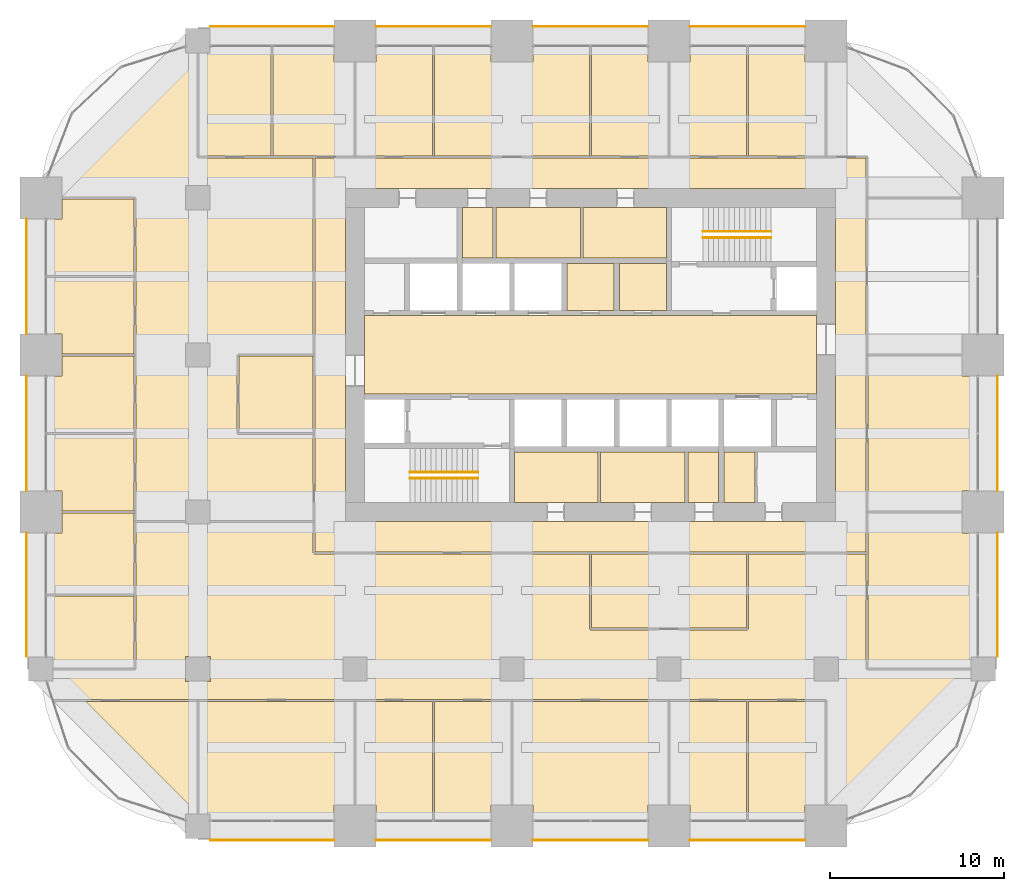
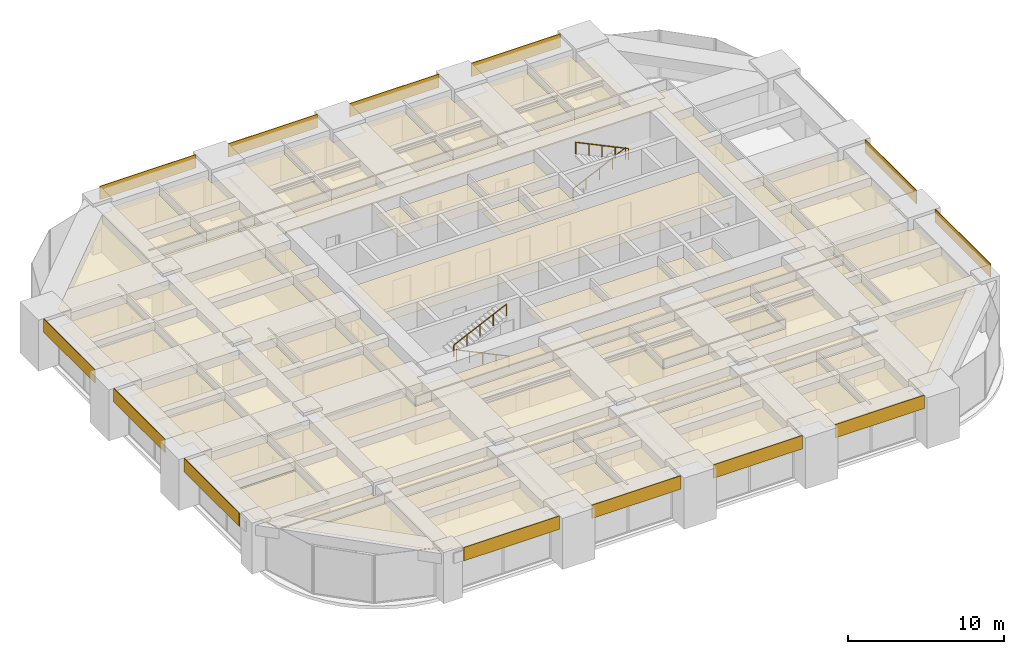
# One storey, part 34 of 35: 50 coverings, 4 railings.
"""IFC4 building model written with IfcOpenShell, lengths in metres."""

from ifc_helpers import new_model, si_unit, direction, frame, frame_2d, origin, origin_2d, place, context, subcontext, project, spatial, polyline, rectangle, circle, outline, extrude, material, layer, layer_set, type_object, element, save


model = new_model("IFC4")

# Units and contexts
model_context = context("Model", 3, precision=1e-05, world=origin(), true_north=direction((0.0, 1.0)))
body_context = subcontext(model_context, "Body", "Model", "MODEL_VIEW")
ifc_project = project(units=[si_unit("LENGTHUNIT", "METRE"), si_unit("AREAUNIT", "SQUARE_METRE"), si_unit("VOLUMEUNIT", "CUBIC_METRE"), si_unit("PLANEANGLEUNIT", "RADIAN"), si_unit("MASSUNIT", "GRAM", prefix="KILO")], contexts=[model_context])

# Site, building, storey
site_placement = place(None, origin())
site = spatial("IfcSite", under=ifc_project, at=site_placement, CompositionType="ELEMENT")
building_placement = place(site_placement, origin())
building = spatial("IfcBuilding", under=site, at=building_placement, Name="Zorevar Civic Tower", CompositionType="ELEMENT")
storey_placement = place(building_placement, frame((0.0, 0.0, 222.199951171875)))
storey = spatial("IfcBuildingStorey", under=building, at=storey_placement, Name="L54", CompositionType="ELEMENT", Elevation=222.199951171875)

# Railings
ifc_material_1 = material(Name="Black steel handrail", Category="steel")
railing_type = type_object("IfcRailingType", Name="Handrail HR1 900", PredefinedType="HANDRAIL", material=ifc_material_1)
railing_1_placement = place(storey_placement, frame((25.050048828125, 19.925048828125, 0.142822265625)))
element("IfcRailing", 1, at=railing_1_placement, inside=storey, type_object=railing_type, Name="Handrail HR1 ST1 L54", PredefinedType="HANDRAIL", context=body_context, shape_type="SweptSolid", body=[
    extrude(circle(Radius=0.02392578125, at=origin_2d()), frame((0.0, 0.0, 0.8759765625), z_axis=(-0.902863652845, 0.0, 0.429926998885), x_axis=(0.0, -1.0, 0.0)), (0.0, 0.0, 1.0), 4.31982421875),
    extrude(circle(Radius=0.02099609375, at=origin_2d()), origin(), (0.0, 0.0, 1.0), 0.851806640625),
    extrude(circle(Radius=0.02099609375, at=origin_2d()), frame((-0.97509765625, 0.0, 0.46435546875)), (0.0, 0.0, 1.0), 0.851806640625),
    extrude(circle(Radius=0.02099609375, at=origin_2d()), frame((-1.9501953125, 0.0, 0.9287109375)), (0.0, 0.0, 1.0), 0.851806640625),
    extrude(circle(Radius=0.02099609375, at=origin_2d()), frame((-2.925048828125, 0.0, 1.392822265625)), (0.0, 0.0, 1.0), 0.851806640625),
    extrude(circle(Radius=0.02099609375, at=origin_2d()), frame((-3.900146484375, 0.0, 1.857177734375)), (0.0, 0.0, 1.0), 0.851806640625),
])
for number, where, name in (
    (2, (21.14990234375, 20.27490234375, 2.142822265625), "Handrail HR1 ST1 L54"),
    (3, (37.949951171875, 34.074951171875, 0.142822265625), "Handrail HR1 ST2 L54"),
):
    element("IfcRailing", number, at=place(storey_placement, frame(where)), inside=storey, type_object=railing_type, Name=name, PredefinedType="HANDRAIL", context=body_context, shape_type="SweptSolid", body=[
        extrude(circle(Radius=0.02392578125, at=origin_2d()), frame((0.0, 0.0, 0.8759765625), z_axis=(0.902863652845, 0.0, 0.429926998885), x_axis=(0.0, 1.0, 0.0)), (0.0, 0.0, 1.0), 4.31982421875),
        extrude(circle(Radius=0.02099609375, at=origin_2d()), origin(), (0.0, 0.0, 1.0), 0.851806640625),
        extrude(circle(Radius=0.02099609375, at=origin_2d()), frame((0.97509765625, 0.0, 0.46435546875)), (0.0, 0.0, 1.0), 0.851806640625),
        extrude(circle(Radius=0.02099609375, at=origin_2d()), frame((1.9501953125, 0.0, 0.9287109375)), (0.0, 0.0, 1.0), 0.851806640625),
        extrude(circle(Radius=0.02099609375, at=origin_2d()), frame((2.925048828125, 0.0, 1.392822265625)), (0.0, 0.0, 1.0), 0.851806640625),
        extrude(circle(Radius=0.02099609375, at=origin_2d()), frame((3.900146484375, 0.0, 1.857177734375)), (0.0, 0.0, 1.0), 0.851806640625),
    ])
railing_2_placement = place(storey_placement, frame((41.85009765625, 33.72509765625, 2.142822265625)))
element("IfcRailing", 4, at=railing_2_placement, inside=storey, type_object=railing_type, Name="Handrail HR1 ST2 L54", PredefinedType="HANDRAIL", context=body_context, shape_type="SweptSolid", body=[
    extrude(circle(Radius=0.02392578125, at=origin_2d()), frame((0.0, 0.0, 0.8759765625), z_axis=(-0.902863652845, 0.0, 0.429926998885), x_axis=(0.0, -1.0, 0.0)), (0.0, 0.0, 1.0), 4.31982421875),
    extrude(circle(Radius=0.02099609375, at=origin_2d()), origin(), (0.0, 0.0, 1.0), 0.851806640625),
    extrude(circle(Radius=0.02099609375, at=origin_2d()), frame((-0.97509765625, 0.0, 0.46435546875)), (0.0, 0.0, 1.0), 0.851806640625),
    extrude(circle(Radius=0.02099609375, at=origin_2d()), frame((-1.9501953125, 0.0, 0.9287109375)), (0.0, 0.0, 1.0), 0.851806640625),
    extrude(circle(Radius=0.02099609375, at=origin_2d()), frame((-2.925048828125, 0.0, 1.392822265625)), (0.0, 0.0, 1.0), 0.851806640625),
    extrude(circle(Radius=0.02099609375, at=origin_2d()), frame((-3.900146484375, 0.0, 1.857177734375)), (0.0, 0.0, 1.0), 0.851806640625),
])

# Coverings
ifc_material_2 = material(Name="Moisture-resistant gypsum board")
ifc_layer_1 = layer(ifc_material_2, 0.012451171875)
ifc_layer_set_1 = layer_set([ifc_layer_1], Name="Moisture-resistant ceiling SC3")
covering_type_1 = type_object("IfcCoveringType", Name="Moisture-resistant ceiling SC3", PredefinedType="CEILING", material=ifc_layer_set_1)
covering_1_placement = place(storey_placement, frame((0.0, 0.0, 3.0)))
element("IfcCovering", 5, at=covering_1_placement, inside=storey, type_object=covering_type_1, Name="Ceiling L54-05", PredefinedType="CEILING", context=body_context, shape_type="SweptSolid", body=[
    extrude(outline(polyline([(31.925048828125, 18.550048828125), (31.925048828125, 21.449951171875), (27.14990234375, 21.449951171875), (27.14990234375, 18.550048828125), (31.925048828125, 18.550048828125)])), origin(), (0.0, 0.0, 1.0), 0.012451171875),
])
covering_2_placement = place(storey_placement, frame((0.0, 0.0, 3.0)))
element("IfcCovering", 6, at=covering_2_placement, inside=storey, type_object=covering_type_1, Name="Ceiling L54-06", PredefinedType="CEILING", context=body_context, shape_type="SweptSolid", body=[
    extrude(outline(polyline([(36.925048828125, 18.550048828125), (36.925048828125, 21.449951171875), (32.074951171875, 21.449951171875), (32.074951171875, 18.550048828125), (36.925048828125, 18.550048828125)])), origin(), (0.0, 0.0, 1.0), 0.012451171875),
])
covering_3_placement = place(storey_placement, frame((0.0, 0.0, 3.0)))
element("IfcCovering", 7, at=covering_3_placement, inside=storey, type_object=covering_type_1, Name="Ceiling L54-07", PredefinedType="CEILING", context=body_context, shape_type="SweptSolid", body=[
    extrude(outline(polyline([(38.85009765625, 18.550048828125), (38.85009765625, 21.449951171875), (37.074951171875, 21.449951171875), (37.074951171875, 18.550048828125), (38.85009765625, 18.550048828125)])), origin(), (0.0, 0.0, 1.0), 0.012451171875),
])
covering_4_placement = place(storey_placement, frame((0.0, 0.0, 3.0)))
element("IfcCovering", 8, at=covering_4_placement, inside=storey, type_object=covering_type_1, Name="Ceiling L54-08", PredefinedType="CEILING", context=body_context, shape_type="SweptSolid", body=[
    extrude(outline(polyline([(35.85009765625, 32.550048828125), (35.85009765625, 35.449951171875), (31.074951171875, 35.449951171875), (31.074951171875, 32.550048828125), (35.85009765625, 32.550048828125)])), origin(), (0.0, 0.0, 1.0), 0.012451171875),
])
covering_5_placement = place(storey_placement, frame((0.0, 0.0, 3.0)))
element("IfcCovering", 9, at=covering_5_placement, inside=storey, type_object=covering_type_1, Name="Ceiling L54-09", PredefinedType="CEILING", context=body_context, shape_type="SweptSolid", body=[
    extrude(outline(polyline([(30.925048828125, 32.550048828125), (30.925048828125, 35.449951171875), (26.074951171875, 35.449951171875), (26.074951171875, 32.550048828125), (30.925048828125, 32.550048828125)])), origin(), (0.0, 0.0, 1.0), 0.012451171875),
])
covering_6_placement = place(storey_placement, frame((0.0, 0.0, 3.0)))
element("IfcCovering", 10, at=covering_6_placement, inside=storey, type_object=covering_type_1, Name="Ceiling L54-10", PredefinedType="CEILING", context=body_context, shape_type="SweptSolid", body=[
    extrude(outline(polyline([(25.925048828125, 32.550048828125), (25.925048828125, 35.449951171875), (24.14990234375, 35.449951171875), (24.14990234375, 32.550048828125), (25.925048828125, 32.550048828125)])), origin(), (0.0, 0.0, 1.0), 0.012451171875),
])
ifc_material_3 = material(Name="Black anodised aluminium spandrel panel", Category="aluminium")
ifc_layer_2 = layer(ifc_material_3, 0.050048828125)
ifc_layer_set_2 = layer_set([ifc_layer_2], Name="Spandrel cladding SP1")
covering_type_2 = type_object("IfcCoveringType", Name="Spandrel cladding SP1", PredefinedType="CLADDING", material=ifc_layer_set_2)
covering_7_placement = place(storey_placement, frame((9.699951171875, -0.824951171875, 2.949951171875), z_axis=(0.0, 0.0, 1.0), x_axis=(1.0, 0.0, 0.0)))
element("IfcCovering", 11, at=covering_7_placement, inside=storey, type_object=covering_type_2, Name="Spandrel cladding L55", PredefinedType="CLADDING", context=body_context, shape_type="SweptSolid", body=[
    extrude(rectangle(XDim=7.10009765625, YDim=0.050048828125, at=frame_2d((3.550048828125, 0.0))), origin(), (0.0, 0.0, 1.0), 1.050048828125),
])
for number, where, z_axis, x_axis, name in (
    (12, (19.199951171875, -0.824951171875, 2.949951171875), (0.0, 0.0, 1.0), (1.0, 0.0, 0.0), "Spandrel cladding L55"),
    (13, (28.199951171875, -0.824951171875, 2.949951171875), (0.0, 0.0, 1.0), (1.0, 0.0, 0.0), "Spandrel cladding L55"),
    (14, (37.199951171875, -0.824951171875, 2.949951171875), (0.0, 0.0, 1.0), (1.0, 0.0, 0.0), "Spandrel cladding L55"),
):
    element("IfcCovering", number, at=place(storey_placement, frame(where, z_axis=z_axis, x_axis=x_axis)), inside=storey, type_object=covering_type_2, Name=name, PredefinedType="CLADDING", context=body_context, shape_type="SweptSolid", body=[
        extrude(rectangle(XDim=6.60009765625, YDim=0.050048828125, at=frame_2d((3.300048828125, 0.0))), origin(), (0.0, 0.0, 1.0), 1.050048828125),
    ])
covering_8_placement = place(storey_placement, frame((9.699951171875, 45.824951171875, 2.949951171875), z_axis=(0.0, 0.0, 1.0), x_axis=(1.0, 0.0, 0.0)))
element("IfcCovering", 15, at=covering_8_placement, inside=storey, type_object=covering_type_2, Name="Spandrel cladding L55", PredefinedType="CLADDING", context=body_context, shape_type="SweptSolid", body=[
    extrude(rectangle(XDim=7.10009765625, YDim=0.050048828125, at=frame_2d((3.550048828125, 0.0))), origin(), (0.0, 0.0, 1.0), 1.050048828125),
])
for number, where, z_axis, x_axis, name in (
    (16, (19.199951171875, 45.824951171875, 2.949951171875), (0.0, 0.0, 1.0), (1.0, 0.0, 0.0), "Spandrel cladding L55"),
    (17, (28.199951171875, 45.824951171875, 2.949951171875), (0.0, 0.0, 1.0), (1.0, 0.0, 0.0), "Spandrel cladding L55"),
    (18, (37.199951171875, 45.824951171875, 2.949951171875), (0.0, 0.0, 1.0), (1.0, 0.0, 0.0), "Spandrel cladding L55"),
):
    element("IfcCovering", number, at=place(storey_placement, frame(where, z_axis=z_axis, x_axis=x_axis)), inside=storey, type_object=covering_type_2, Name=name, PredefinedType="CLADDING", context=body_context, shape_type="SweptSolid", body=[
        extrude(rectangle(XDim=6.60009765625, YDim=0.050048828125, at=frame_2d((3.300048828125, 0.0))), origin(), (0.0, 0.0, 1.0), 1.050048828125),
    ])
covering_9_placement = place(storey_placement, frame((-0.824951171875, 9.699951171875, 2.949951171875), z_axis=(0.0, 0.0, 1.0), x_axis=(0.0, 1.0, 0.0)))
element("IfcCovering", 19, at=covering_9_placement, inside=storey, type_object=covering_type_2, Name="Spandrel cladding L55", PredefinedType="CLADDING", context=body_context, shape_type="SweptSolid", body=[
    extrude(rectangle(XDim=7.10009765625, YDim=0.050048828125, at=frame_2d((3.550048828125, 0.0))), origin(), (0.0, 0.0, 1.0), 1.050048828125),
])
for number, where, z_axis, x_axis, name in (
    (20, (-0.824951171875, 19.199951171875, 2.949951171875), (0.0, 0.0, 1.0), (0.0, 1.0, 0.0), "Spandrel cladding L55"),
    (21, (-0.824951171875, 28.199951171875, 2.949951171875), (0.0, 0.0, 1.0), (0.0, 1.0, 0.0), "Spandrel cladding L55"),
):
    element("IfcCovering", number, at=place(storey_placement, frame(where, z_axis=z_axis, x_axis=x_axis)), inside=storey, type_object=covering_type_2, Name=name, PredefinedType="CLADDING", context=body_context, shape_type="SweptSolid", body=[
        extrude(rectangle(XDim=6.60009765625, YDim=0.050048828125, at=frame_2d((3.300048828125, 0.0))), origin(), (0.0, 0.0, 1.0), 1.050048828125),
    ])
covering_10_placement = place(storey_placement, frame((54.824951171875, 9.699951171875, 2.949951171875), z_axis=(0.0, 0.0, 1.0), x_axis=(0.0, 1.0, 0.0)))
element("IfcCovering", 22, at=covering_10_placement, inside=storey, type_object=covering_type_2, Name="Spandrel cladding L55", PredefinedType="CLADDING", context=body_context, shape_type="SweptSolid", body=[
    extrude(rectangle(XDim=7.10009765625, YDim=0.050048828125, at=frame_2d((3.550048828125, 0.0))), origin(), (0.0, 0.0, 1.0), 1.050048828125),
])
covering_11_placement = place(storey_placement, frame((54.824951171875, 19.199951171875, 2.949951171875), z_axis=(0.0, 0.0, 1.0), x_axis=(0.0, 1.0, 0.0)))
element("IfcCovering", 23, at=covering_11_placement, inside=storey, type_object=covering_type_2, Name="Spandrel cladding L55", PredefinedType="CLADDING", context=body_context, shape_type="SweptSolid", body=[
    extrude(rectangle(XDim=6.60009765625, YDim=0.050048828125, at=frame_2d((3.300048828125, 0.0))), origin(), (0.0, 0.0, 1.0), 1.050048828125),
])
ifc_material_4 = material(Name="Mineral fibre tiles on a concealed grid")
ifc_layer_3 = layer(ifc_material_4, 0.02001953125)
ifc_layer_set_3 = layer_set([ifc_layer_3], Name="Suspended ceiling SC1")
covering_type_3 = type_object("IfcCoveringType", Name="Suspended ceiling SC1", PredefinedType="CEILING", material=ifc_layer_set_3)
covering_12_placement = place(storey_placement, frame((0.0, 0.0, 3.0)))
element("IfcCovering", 24, at=covering_12_placement, inside=storey, type_object=covering_type_3, Name="Ceiling L54-11", PredefinedType="CEILING", context=body_context, shape_type="SweptSolid", body=[
    extrude(outline(polyline([(40.93994140625, 18.550048828125), (40.93994140625, 21.449951171875), (39.14990234375, 21.449951171875), (39.14990234375, 18.550048828125), (40.93994140625, 18.550048828125)])), origin(), (0.0, 0.0, 1.0), 0.02001953125),
])
covering_13_placement = place(storey_placement, frame((0.0, 0.0, 3.0)))
element("IfcCovering", 25, at=covering_13_placement, inside=storey, type_object=covering_type_3, Name="Ceiling L54-16", PredefinedType="CEILING", context=body_context, shape_type="SweptSolid", body=[
    extrude(outline(polyline([(44.449951171875, 24.75), (44.449951171875, 29.25), (18.550048828125, 29.25), (18.550048828125, 24.75), (44.449951171875, 24.75)])), origin(), (0.0, 0.0, 1.0), 0.02001953125),
])
covering_14_placement = place(storey_placement, frame((0.0, 0.0, 3.0)))
element("IfcCovering", 26, at=covering_14_placement, inside=storey, type_object=covering_type_3, Name="Ceiling L54-17", PredefinedType="CEILING", context=body_context, shape_type="SweptSolid", body=[
    extrude(outline(polyline([(35.85009765625, 29.550048828125), (35.85009765625, 32.25), (33.14990234375, 32.25), (33.14990234375, 29.550048828125), (35.85009765625, 29.550048828125)])), origin(), (0.0, 0.0, 1.0), 0.02001953125),
])
covering_15_placement = place(storey_placement, frame((0.0, 0.0, 3.0)))
element("IfcCovering", 27, at=covering_15_placement, inside=storey, type_object=covering_type_3, Name="Ceiling L54-18", PredefinedType="CEILING", context=body_context, shape_type="SweptSolid", body=[
    extrude(outline(polyline([(32.85009765625, 29.550048828125), (32.85009765625, 32.25), (30.14990234375, 32.25), (30.14990234375, 29.550048828125), (32.85009765625, 29.550048828125)])), origin(), (0.0, 0.0, 1.0), 0.02001953125),
])
covering_16_placement = place(storey_placement, frame((0.0, 0.0, 3.0)))
element("IfcCovering", 28, at=covering_16_placement, inside=storey, type_object=covering_type_3, Name="Ceiling L54-19", PredefinedType="CEILING", context=body_context, shape_type="SweptSolid", body=[
    extrude(outline(polyline([(9.7099609375, 0.35009765625), (9.7099609375, 0.7099609375), (9.06005859375, 0.7099609375), (9.06005859375, 7.139892578125), (17.93994140625, 7.139892578125), (17.93994140625, 1.2099609375), (16.7900390625, 1.2099609375), (16.7900390625, 0.35009765625), (9.7099609375, 0.35009765625)])), origin(), (0.0, 0.0, 1.0), 0.02001953125),
])
covering_17_placement = place(storey_placement, frame((0.0, 0.0, 3.0)))
element("IfcCovering", 29, at=covering_17_placement, inside=storey, type_object=covering_type_3, Name="Ceiling L54-20", PredefinedType="CEILING", context=body_context, shape_type="SweptSolid", body=[
    extrude(outline(polyline([(22.43994140625, 7.139892578125), (22.43994140625, 0.35009765625), (19.2099609375, 0.35009765625), (19.2099609375, 1.2099609375), (18.06005859375, 1.2099609375), (18.06005859375, 7.139892578125), (22.43994140625, 7.139892578125)])), origin(), (0.0, 0.0, 1.0), 0.02001953125),
])
covering_18_placement = place(storey_placement, frame((0.0, 0.0, 3.0)))
element("IfcCovering", 30, at=covering_18_placement, inside=storey, type_object=covering_type_3, Name="Ceiling L54-21", PredefinedType="CEILING", context=body_context, shape_type="SweptSolid", body=[
    extrude(outline(polyline([(26.93994140625, 7.139892578125), (26.93994140625, 1.2099609375), (25.7900390625, 1.2099609375), (25.7900390625, 0.35009765625), (22.56005859375, 0.35009765625), (22.56005859375, 7.139892578125), (26.93994140625, 7.139892578125)])), origin(), (0.0, 0.0, 1.0), 0.02001953125),
])
covering_19_placement = place(storey_placement, frame((0.0, 0.0, 3.0)))
element("IfcCovering", 31, at=covering_19_placement, inside=storey, type_object=covering_type_3, Name="Ceiling L54-22", PredefinedType="CEILING", context=body_context, shape_type="SweptSolid", body=[
    extrude(outline(polyline([(28.2099609375, 0.35009765625), (28.2099609375, 1.2099609375), (27.06005859375, 1.2099609375), (27.06005859375, 7.139892578125), (35.93994140625, 7.139892578125), (35.93994140625, 1.2099609375), (34.7900390625, 1.2099609375), (34.7900390625, 0.35009765625), (28.2099609375, 0.35009765625)])), origin(), (0.0, 0.0, 1.0), 0.02001953125),
])
covering_20_placement = place(storey_placement, frame((0.0, 0.0, 3.0)))
element("IfcCovering", 32, at=covering_20_placement, inside=storey, type_object=covering_type_3, Name="Ceiling L54-23", PredefinedType="CEILING", context=body_context, shape_type="SweptSolid", body=[
    extrude(outline(polyline([(40.43994140625, 7.139892578125), (40.43994140625, 0.35009765625), (37.2099609375, 0.35009765625), (37.2099609375, 1.2099609375), (36.06005859375, 1.2099609375), (36.06005859375, 7.139892578125), (40.43994140625, 7.139892578125)])), origin(), (0.0, 0.0, 1.0), 0.02001953125),
])
covering_21_placement = place(storey_placement, frame((0.0, 0.0, 3.0)))
element("IfcCovering", 33, at=covering_21_placement, inside=storey, type_object=covering_type_3, Name="Ceiling L54-24", PredefinedType="CEILING", context=body_context, shape_type="SweptSolid", body=[
    extrude(outline(polyline([(44.93994140625, 7.139892578125), (44.93994140625, 1.2099609375), (43.7900390625, 1.2099609375), (43.7900390625, 0.35009765625), (40.56005859375, 0.35009765625), (40.56005859375, 7.139892578125), (44.93994140625, 7.139892578125)])), origin(), (0.0, 0.0, 1.0), 0.02001953125),
])
covering_22_placement = place(storey_placement, frame((0.0, 0.0, 3.0)))
element("IfcCovering", 34, at=covering_22_placement, inside=storey, type_object=covering_type_3, Name="Ceiling L54-25", PredefinedType="CEILING", context=body_context, shape_type="SweptSolid", body=[
    extrude(outline(polyline([(9.06005859375, 38.409912109375), (9.06005859375, 44.2900390625), (9.7099609375, 44.2900390625), (9.7099609375, 44.64990234375), (13.18994140625, 44.64990234375), (13.18994140625, 38.409912109375), (9.06005859375, 38.409912109375)])), origin(), (0.0, 0.0, 1.0), 0.02001953125),
])
covering_23_placement = place(storey_placement, frame((0.0, 0.0, 3.0)))
element("IfcCovering", 35, at=covering_23_placement, inside=storey, type_object=covering_type_3, Name="Ceiling L54-26", PredefinedType="CEILING", context=body_context, shape_type="SweptSolid", body=[
    extrude(outline(polyline([(13.31005859375, 38.409912109375), (13.31005859375, 44.64990234375), (16.7900390625, 44.64990234375), (16.7900390625, 43.7900390625), (17.93994140625, 43.7900390625), (17.93994140625, 38.409912109375), (13.31005859375, 38.409912109375)])), origin(), (0.0, 0.0, 1.0), 0.02001953125),
])
covering_24_placement = place(storey_placement, frame((0.0, 0.0, 3.0)))
element("IfcCovering", 36, at=covering_24_placement, inside=storey, type_object=covering_type_3, Name="Ceiling L54-27", PredefinedType="CEILING", context=body_context, shape_type="SweptSolid", body=[
    extrude(outline(polyline([(18.06005859375, 38.409912109375), (18.06005859375, 43.7900390625), (19.2099609375, 43.7900390625), (19.2099609375, 44.64990234375), (22.43994140625, 44.64990234375), (22.43994140625, 38.409912109375), (18.06005859375, 38.409912109375)])), origin(), (0.0, 0.0, 1.0), 0.02001953125),
])
covering_25_placement = place(storey_placement, frame((0.0, 0.0, 3.0)))
element("IfcCovering", 37, at=covering_25_placement, inside=storey, type_object=covering_type_3, Name="Ceiling L54-28", PredefinedType="CEILING", context=body_context, shape_type="SweptSolid", body=[
    extrude(outline(polyline([(31.56005859375, 38.409912109375), (31.56005859375, 44.64990234375), (34.7900390625, 44.64990234375), (34.7900390625, 43.7900390625), (35.93994140625, 43.7900390625), (35.93994140625, 38.409912109375), (31.56005859375, 38.409912109375)])), origin(), (0.0, 0.0, 1.0), 0.02001953125),
])
covering_26_placement = place(storey_placement, frame((0.0, 0.0, 3.0)))
element("IfcCovering", 38, at=covering_26_placement, inside=storey, type_object=covering_type_3, Name="Ceiling L54-29", PredefinedType="CEILING", context=body_context, shape_type="SweptSolid", body=[
    extrude(outline(polyline([(36.06005859375, 38.409912109375), (36.06005859375, 43.7900390625), (37.2099609375, 43.7900390625), (37.2099609375, 44.64990234375), (40.43994140625, 44.64990234375), (40.43994140625, 38.409912109375), (36.06005859375, 38.409912109375)])), origin(), (0.0, 0.0, 1.0), 0.02001953125),
])
covering_27_placement = place(storey_placement, frame((0.0, 0.0, 3.0)))
element("IfcCovering", 39, at=covering_27_placement, inside=storey, type_object=covering_type_3, Name="Ceiling L54-30", PredefinedType="CEILING", context=body_context, shape_type="SweptSolid", body=[
    extrude(outline(polyline([(40.56005859375, 38.409912109375), (40.56005859375, 44.64990234375), (43.7900390625, 44.64990234375), (43.7900390625, 43.7900390625), (44.93994140625, 43.7900390625), (44.93994140625, 38.409912109375), (40.56005859375, 38.409912109375)])), origin(), (0.0, 0.0, 1.0), 0.02001953125),
])
covering_28_placement = place(storey_placement, frame((0.0, 0.0, 3.0)))
element("IfcCovering", 40, at=covering_28_placement, inside=storey, type_object=covering_type_3, Name="Ceiling L54-31", PredefinedType="CEILING", context=body_context, shape_type="SweptSolid", body=[
    extrude(outline(polyline([(53.64990234375, 9.7099609375), (53.2900390625, 9.7099609375), (53.2900390625, 9.06005859375), (47.409912109375, 9.06005859375), (47.409912109375, 17.93994140625), (52.7900390625, 17.93994140625), (52.7900390625, 16.7900390625), (53.64990234375, 16.7900390625), (53.64990234375, 9.7099609375)])), origin(), (0.0, 0.0, 1.0), 0.02001953125),
])
covering_29_placement = place(storey_placement, frame((0.0, 0.0, 3.0)))
element("IfcCovering", 41, at=covering_29_placement, inside=storey, type_object=covering_type_3, Name="Ceiling L54-32", PredefinedType="CEILING", context=body_context, shape_type="SweptSolid", body=[
    extrude(outline(polyline([(53.64990234375, 19.2099609375), (52.7900390625, 19.2099609375), (52.7900390625, 18.06005859375), (47.409912109375, 18.06005859375), (47.409912109375, 26.93994140625), (52.7900390625, 26.93994140625), (52.7900390625, 25.7900390625), (53.64990234375, 25.7900390625), (53.64990234375, 19.2099609375)])), origin(), (0.0, 0.0, 1.0), 0.02001953125),
])
covering_30_placement = place(storey_placement, frame((0.0, 0.0, 3.0)))
element("IfcCovering", 42, at=covering_30_placement, inside=storey, type_object=covering_type_3, Name="Ceiling L54-34", PredefinedType="CEILING", context=body_context, shape_type="SweptSolid", body=[
    extrude(outline(polyline([(5.340087890625, 9.06005859375), (0.7099609375, 9.06005859375), (0.7099609375, 9.7099609375), (0.35009765625, 9.7099609375), (0.35009765625, 13.18994140625), (5.340087890625, 13.18994140625), (5.340087890625, 9.06005859375)])), origin(), (0.0, 0.0, 1.0), 0.02001953125),
])
covering_31_placement = place(storey_placement, frame((0.0, 0.0, 3.0)))
element("IfcCovering", 43, at=covering_31_placement, inside=storey, type_object=covering_type_3, Name="Ceiling L54-35", PredefinedType="CEILING", context=body_context, shape_type="SweptSolid", body=[
    extrude(outline(polyline([(5.340087890625, 13.31005859375), (0.35009765625, 13.31005859375), (0.35009765625, 16.7900390625), (1.2099609375, 16.7900390625), (1.2099609375, 17.93994140625), (5.340087890625, 17.93994140625), (5.340087890625, 13.31005859375)])), origin(), (0.0, 0.0, 1.0), 0.02001953125),
])
covering_32_placement = place(storey_placement, frame((0.0, 0.0, 3.0)))
element("IfcCovering", 44, at=covering_32_placement, inside=storey, type_object=covering_type_3, Name="Ceiling L54-36", PredefinedType="CEILING", context=body_context, shape_type="SweptSolid", body=[
    extrude(outline(polyline([(5.340087890625, 18.06005859375), (1.2099609375, 18.06005859375), (1.2099609375, 19.2099609375), (0.35009765625, 19.2099609375), (0.35009765625, 22.43994140625), (5.340087890625, 22.43994140625), (5.340087890625, 18.06005859375)])), origin(), (0.0, 0.0, 1.0), 0.02001953125),
])
covering_33_placement = place(storey_placement, frame((0.0, 0.0, 3.0)))
element("IfcCovering", 45, at=covering_33_placement, inside=storey, type_object=covering_type_3, Name="Ceiling L54-37", PredefinedType="CEILING", context=body_context, shape_type="SweptSolid", body=[
    extrude(outline(polyline([(5.340087890625, 22.56005859375), (0.35009765625, 22.56005859375), (0.35009765625, 25.7900390625), (1.2099609375, 25.7900390625), (1.2099609375, 26.93994140625), (5.340087890625, 26.93994140625), (5.340087890625, 22.56005859375)])), origin(), (0.0, 0.0, 1.0), 0.02001953125),
])
covering_34_placement = place(storey_placement, frame((0.0, 0.0, 3.0)))
element("IfcCovering", 46, at=covering_34_placement, inside=storey, type_object=covering_type_3, Name="Ceiling L54-38", PredefinedType="CEILING", context=body_context, shape_type="SweptSolid", body=[
    extrude(outline(polyline([(5.340087890625, 27.06005859375), (1.2099609375, 27.06005859375), (1.2099609375, 28.2099609375), (0.35009765625, 28.2099609375), (0.35009765625, 31.43994140625), (5.340087890625, 31.43994140625), (5.340087890625, 27.06005859375)])), origin(), (0.0, 0.0, 1.0), 0.02001953125),
])
covering_35_placement = place(storey_placement, frame((0.0, 0.0, 3.0)))
element("IfcCovering", 47, at=covering_35_placement, inside=storey, type_object=covering_type_3, Name="Ceiling L54-39", PredefinedType="CEILING", context=body_context, shape_type="SweptSolid", body=[
    extrude(outline(polyline([(5.340087890625, 31.56005859375), (0.35009765625, 31.56005859375), (0.35009765625, 34.7900390625), (1.2099609375, 34.7900390625), (1.2099609375, 35.93994140625), (5.340087890625, 35.93994140625), (5.340087890625, 31.56005859375)])), origin(), (0.0, 0.0, 1.0), 0.02001953125),
])
covering_36_placement = place(storey_placement, frame((0.0, 0.0, 3.0)))
element("IfcCovering", 48, at=covering_36_placement, inside=storey, type_object=covering_type_3, Name="Ceiling L54-40", PredefinedType="CEILING", context=body_context, shape_type="SweptSolid", body=[
    extrude(outline(polyline([(31.56005859375, 15.590087890625), (40.43994140625, 15.590087890625), (40.43994140625, 11.35009765625), (31.56005859375, 11.35009765625), (31.56005859375, 15.590087890625)])), origin(), (0.0, 0.0, 1.0), 0.02001953125),
])
covering_37_placement = place(storey_placement, frame((0.0, 0.0, 3.0)))
element("IfcCovering", 49, at=covering_37_placement, inside=storey, type_object=covering_type_3, Name="Ceiling L54-41", PredefinedType="CEILING", context=body_context, shape_type="SweptSolid", body=[
    extrude(outline(polyline([(15.590087890625, 26.93994140625), (15.590087890625, 22.56005859375), (11.360107421875, 22.56005859375), (11.360107421875, 26.93994140625), (15.590087890625, 26.93994140625)])), origin(), (0.0, 0.0, 1.0), 0.02001953125),
])
covering_38_placement = place(storey_placement, frame((0.0, 0.0, 3.0)))
element("IfcCovering", 50, at=covering_38_placement, inside=storey, type_object=covering_type_3, Name="Ceiling L54-42", PredefinedType="CEILING", context=body_context, shape_type="SweptSolid", body=[
    extrude(outline(polyline([(8.93994140625, 7.14990234375), (8.93994140625, 0.76708984375), (2.55712890625, 7.14990234375), (8.93994140625, 7.14990234375)])), origin(), (0.0, 0.0, 1.0), 0.02001953125),
])
covering_39_placement = place(storey_placement, frame((0.0, 0.0, 3.0)))
element("IfcCovering", 51, at=covering_39_placement, inside=storey, type_object=covering_type_3, Name="Ceiling L54-43", PredefinedType="CEILING", context=body_context, shape_type="SweptSolid", body=[
    extrude(outline(polyline([(15.699951171875, 15.699951171875), (15.699951171875, 22.5), (15.7099609375, 22.5), (15.7099609375, 27.0), (15.699951171875, 27.0), (15.699951171875, 38.2900390625), (22.5, 38.2900390625), (22.5, 38.300048828125), (31.5, 38.300048828125), (31.5, 38.2900390625), (45.0, 38.2900390625), (45.0, 38.300048828125), (47.300048828125, 38.300048828125), (47.300048828125, 36.0), (47.2900390625, 36.0), (47.2900390625, 15.699951171875), (40.5, 15.699951171875), (40.5, 15.7099609375), (31.5, 15.7099609375), (31.5, 15.699951171875), (15.699951171875, 15.699951171875)]), holes=[polyline([(45.550048828125, 17.449951171875), (45.550048828125, 36.550048828125), (17.449951171875, 36.550048828125), (17.449951171875, 17.449951171875), (45.550048828125, 17.449951171875)])]), origin(), (0.0, 0.0, 1.0), 0.02001953125),
])
covering_40_placement = place(storey_placement, frame((0.0, 0.0, 3.0)))
element("IfcCovering", 52, at=covering_40_placement, inside=storey, type_object=covering_type_3, Name="Ceiling L54-44", PredefinedType="CEILING", context=body_context, shape_type="SweptSolid", body=[
    extrude(outline(polyline([(22.56005859375, 44.64990234375), (25.7900390625, 44.64990234375), (25.7900390625, 43.7900390625), (28.2099609375, 43.7900390625), (28.2099609375, 44.64990234375), (31.43994140625, 44.64990234375), (31.43994140625, 38.39990234375), (22.56005859375, 38.39990234375), (22.56005859375, 44.64990234375)])), origin(), (0.0, 0.0, 1.0), 0.02001953125),
])
covering_41_placement = place(storey_placement, frame((0.0, 0.0, 3.0)))
element("IfcCovering", 53, at=covering_41_placement, inside=storey, type_object=covering_type_3, Name="Ceiling L54-46", PredefinedType="CEILING", context=body_context, shape_type="SweptSolid", body=[
    extrude(outline(polyline([(40.56005859375, 11.300048828125), (40.56005859375, 15.60009765625), (47.2900390625, 15.60009765625), (47.2900390625, 9.0), (47.35009765625, 9.0), (47.35009765625, 8.93994140625), (53.23291015625, 8.93994140625), (45.5029296875, 1.2099609375), (45.06005859375, 1.2099609375), (45.06005859375, 7.199951171875), (45.0, 7.199951171875), (45.0, 7.260009765625), (9.0, 7.260009765625), (9.0, 7.25), (2.45703125, 7.25), (0.76708984375, 8.93994140625), (5.39990234375, 8.93994140625), (5.39990234375, 9.0), (5.4599609375, 9.0), (5.4599609375, 17.39990234375), (8.2900390625, 17.39990234375), (8.2900390625, 17.2900390625), (9.7099609375, 17.2900390625), (9.7099609375, 17.39990234375), (15.60009765625, 17.39990234375), (15.60009765625, 15.64990234375), (15.64990234375, 15.64990234375), (15.64990234375, 15.60009765625), (31.43994140625, 15.60009765625), (31.43994140625, 11.300048828125), (31.5, 11.300048828125), (31.5, 11.25), (40.5, 11.25), (40.5, 11.300048828125), (40.56005859375, 11.300048828125)]), holes=[polyline([(8.2900390625, 9.7099609375), (8.2900390625, 8.2900390625), (9.7099609375, 8.2900390625), (9.7099609375, 9.7099609375), (8.2900390625, 9.7099609375)]), polyline([(18.7099609375, 8.2900390625), (18.7099609375, 9.7099609375), (17.2900390625, 9.7099609375), (17.2900390625, 8.2900390625), (18.7099609375, 8.2900390625)]), polyline([(26.2900390625, 8.2900390625), (27.7099609375, 8.2900390625), (27.7099609375, 9.7099609375), (26.2900390625, 9.7099609375), (26.2900390625, 8.2900390625)]), polyline([(35.2900390625, 9.7099609375), (35.2900390625, 8.2900390625), (36.7099609375, 8.2900390625), (36.7099609375, 9.7099609375), (35.2900390625, 9.7099609375)]), polyline([(45.7099609375, 8.2900390625), (45.7099609375, 9.7099609375), (44.2900390625, 9.7099609375), (44.2900390625, 8.2900390625), (45.7099609375, 8.2900390625)])]), origin(), (0.0, 0.0, 1.0), 0.02001953125),
])
covering_42_placement = place(storey_placement, frame((0.0, 0.0, 3.0)))
element("IfcCovering", 54, at=covering_42_placement, inside=storey, type_object=covering_type_3, Name="Ceiling L54-47", PredefinedType="CEILING", context=body_context, shape_type="SweptSolid", body=[
    extrude(outline(polyline([(8.93994140625, 38.35107421875), (9.0, 38.35009765625), (9.000244140625, 38.290283203125), (15.60009765625, 38.2900390625), (15.59912109375, 27.06103515625), (11.300048828125, 27.06103515625), (11.299072265625, 27.0009765625), (11.239013671875, 27.0), (11.2392578125, 22.499267578125), (11.299072265625, 22.4990234375), (11.300048828125, 22.43896484375), (15.59912109375, 22.43896484375), (15.59912109375, 17.5009765625), (9.7099609375, 17.5009765625), (9.7099609375, 18.7099609375), (8.2900390625, 18.7099609375), (8.2900390625, 17.5009765625), (5.4609375, 17.5009765625), (5.4609375, 36.000244140625), (5.40087890625, 36.0009765625), (5.39990234375, 36.06103515625), (1.2099609375, 36.06103515625), (1.2099609375, 36.5029296875), (8.93994140625, 44.23291015625), (8.93994140625, 38.35107421875)]), holes=[polyline([(9.7099609375, 26.2900390625), (9.7099609375, 27.7099609375), (8.2900390625, 27.7099609375), (8.2900390625, 26.2900390625), (9.7099609375, 26.2900390625)]), polyline([(8.2900390625, 35.2900390625), (9.7099609375, 35.2900390625), (9.7099609375, 36.7099609375), (8.2900390625, 36.7099609375), (8.2900390625, 35.2900390625)])]), origin(), (0.0, 0.0, 1.0), 0.02001953125),
])

save(model, "model.ifc")
